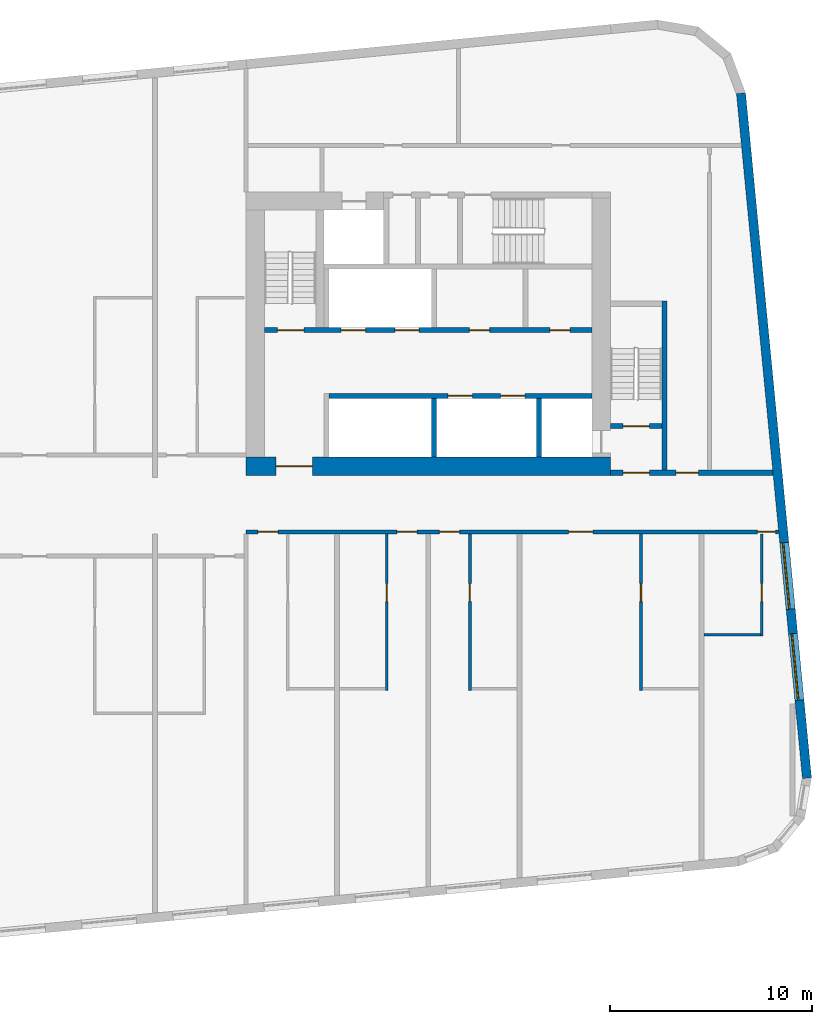
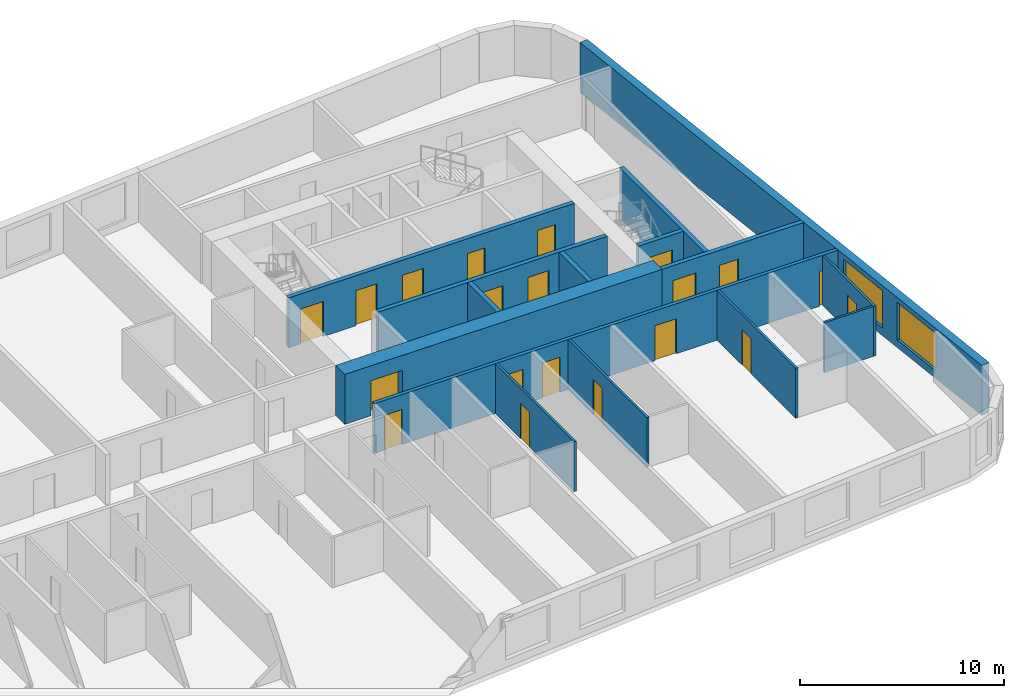
# One storey, part 7 of 12: 20 doors, 15 walls, 2 windows, 22 openings.
"""IFC4 building model written with IfcOpenShell, lengths in metres."""

from ifc_helpers import new_model, si_unit, direction, frame, frame_2d, origin, place, context, subcontext, project, spatial, rectangle, extrude, material, layer, layer_set, type_object, element, fill, save


model = new_model("IFC4")

# Units and contexts
model_context = context("Model", 3, precision=1e-05, world=origin(), true_north=direction((0.0, 1.0)))
body_context = subcontext(model_context, "Body", "Model", "MODEL_VIEW")
ifc_project = project(units=[si_unit("LENGTHUNIT", "METRE"), si_unit("AREAUNIT", "SQUARE_METRE"), si_unit("VOLUMEUNIT", "CUBIC_METRE"), si_unit("PLANEANGLEUNIT", "RADIAN"), si_unit("MASSUNIT", "GRAM", prefix="KILO")], contexts=[model_context])

# Site, building, storey
site_placement = place(None, origin())
site = spatial("IfcSite", under=ifc_project, at=site_placement, CompositionType="ELEMENT")
building_placement = place(site_placement, origin())
building = spatial("IfcBuilding", under=site, at=building_placement, Name="Kajstack Hotel Tower", CompositionType="ELEMENT")
storey_placement = place(building_placement, frame((0.0, 0.0, 203.199951171875)))
storey = spatial("IfcBuildingStorey", under=building, at=storey_placement, Name="L49", CompositionType="ELEMENT", Elevation=203.199951171875)

# Wall, opening, door
ifc_material_1 = material(Name="Concrete C60/75", Category="concrete")
ifc_layer_1 = layer(ifc_material_1, 0.89990234375)
ifc_layer_set_1 = layer_set([ifc_layer_1], Name="Core wall 900")
wall_type_1 = type_object("IfcWallType", Name="Core wall 900", PredefinedType="SHEAR", material=ifc_layer_set_1)
wall_1_placement = place(storey_placement, frame((13.5, 1.949951171875, 0.0), z_axis=(0.0, 0.0, 1.0), x_axis=(1.0, 0.0, 0.0)))
wall_1 = element("IfcWall", 1, at=wall_1_placement, inside=storey, type_object=wall_type_1, Name="Core wall E RN", PredefinedType="SHEAR", context=body_context, shape_type="SweptSolid", body=[
    extrude(rectangle(XDim=18.0, YDim=0.89990234375, at=frame_2d((9.0, 0.0))), origin(), (0.0, 0.0, 1.0), 3.0),
])
opening_1_placement = place(wall_1_placement, frame((1.47509765625, 0.0, 0.0)))
opening_1 = element("IfcOpeningElement", 2, at=opening_1_placement, cuts=wall_1, Name="Opening 49E07", PredefinedType="OPENING", context=body_context, shape_type="SweptSolid", body=[
    extrude(rectangle(XDim=1.800048828125, YDim=2.10009765625, at=frame_2d((0.89990234375, 1.050048828125))), frame((0.0, 0.4599609375, 0.0), z_axis=(0.0, -1.0, 0.0), x_axis=(1.0, 0.0, 0.0)), (0.0, 0.0, 1.0), 0.919921875),
])
ifc_material_2 = material(Name="Glazed steel frame, fire-rated glass", Category="steel")
door_type_1 = type_object("IfcDoorType", Name="Lobby double door 1800", OperationType="DOUBLE_DOOR_DOUBLE_SWING", PredefinedType="DOOR", material=ifc_material_2)
door_1_placement = place(opening_1_placement, origin())
door_1 = element("IfcDoor", 3, at=door_1_placement, inside=storey, type_object=door_type_1, Name="Door 49E07", OperationType="DOUBLE_DOOR_DOUBLE_SWING", OverallHeight=2.10009765625, OverallWidth=1.800048828125, PredefinedType="DOOR", context=body_context, shape_type="SweptSolid", body=[
    extrude(rectangle(XDim=1.800048828125, YDim=2.10009765625, at=frame_2d((0.89990234375, 1.050048828125))), frame((0.0, 0.02490234375, 0.0), z_axis=(0.0, -1.0, 0.0), x_axis=(1.0, 0.0, 0.0)), (0.0, 0.0, 1.0), 0.050048828125),
])
fill(opening_1, door_1)

# Wall, openings, doors
ifc_material_3 = material(Name="Gypsum board on steel studs, mineral wool", Category="steel")
ifc_layer_2 = layer(ifc_material_3, 0.199951171875)
ifc_layer_set_2 = layer_set([ifc_layer_2], Name="Corridor wall 200")
wall_type_2 = type_object("IfcWallType", Name="Corridor wall 200", PredefinedType="PARTITIONING", material=ifc_layer_set_2)
wall_2_placement = place(storey_placement, frame((13.5, -1.300048828125, 0.0), z_axis=(0.0, 0.0, 1.0), x_axis=(1.0, 0.0, 0.0)))
wall_2 = element("IfcWall", 4, at=wall_2_placement, inside=storey, type_object=wall_type_2, Name="G-wall-L49-029", PredefinedType="PARTITIONING", context=body_context, shape_type="SweptSolid", body=[
    extrude(rectangle(XDim=26.31689453125, YDim=0.199951171875, at=frame_2d((13.158447265625, 0.0))), origin(), (0.0, 0.0, 1.0), 3.0),
])
opening_2_placement = place(wall_2_placement, frame((0.574951171875, 0.0, 0.0)))
opening_2 = element("IfcOpeningElement", 5, at=opening_2_placement, cuts=wall_2, Name="Opening 49032", PredefinedType="OPENING", context=body_context, shape_type="SweptSolid", body=[
    extrude(rectangle(XDim=1.0, YDim=2.10009765625, at=frame_2d((0.5, 1.050048828125))), frame((0.0, 0.10986328125, 0.0), z_axis=(0.0, -1.0, 0.0), x_axis=(1.0, 0.0, 0.0)), (0.0, 0.0, 1.0), 0.219970703125),
])
opening_3_placement = place(wall_2_placement, frame((7.449951171875, 0.0, 0.0)))
opening_3 = element("IfcOpeningElement", 6, at=opening_3_placement, cuts=wall_2, Name="Opening 49034", PredefinedType="OPENING", context=body_context, shape_type="SweptSolid", body=[
    extrude(rectangle(XDim=1.0, YDim=2.10009765625, at=frame_2d((0.5, 1.050048828125))), frame((0.0, 0.10986328125, 0.0), z_axis=(0.0, -1.0, 0.0), x_axis=(1.0, 0.0, 0.0)), (0.0, 0.0, 1.0), 0.219970703125),
])
opening_4_placement = place(wall_2_placement, frame((9.550048828125, 0.0, 0.0)))
opening_4 = element("IfcOpeningElement", 7, at=opening_4_placement, cuts=wall_2, Name="Opening 49036", PredefinedType="OPENING", context=body_context, shape_type="SweptSolid", body=[
    extrude(rectangle(XDim=1.0, YDim=2.10009765625, at=frame_2d((0.5, 1.050048828125))), frame((0.0, 0.10986328125, 0.0), z_axis=(0.0, -1.0, 0.0), x_axis=(1.0, 0.0, 0.0)), (0.0, 0.0, 1.0), 0.219970703125),
])
opening_5_placement = place(wall_2_placement, frame((15.93798828125, 0.0, 0.0)))
opening_5 = element("IfcOpeningElement", 8, at=opening_5_placement, cuts=wall_2, Name="Opening 49038", PredefinedType="OPENING", context=body_context, shape_type="SweptSolid", body=[
    extrude(rectangle(XDim=1.199951171875, YDim=2.10009765625, at=frame_2d((0.60009765625, 1.050048828125))), frame((0.0, 0.10986328125, 0.0), z_axis=(0.0, -1.0, 0.0), x_axis=(1.0, 0.0, 0.0)), (0.0, 0.0, 1.0), 0.219970703125),
])
opening_6_placement = place(wall_2_placement, frame((25.26708984375, 0.0, 0.0)))
opening_6 = element("IfcOpeningElement", 9, at=opening_6_placement, cuts=wall_2, Name="Opening 49040", PredefinedType="OPENING", context=body_context, shape_type="SweptSolid", body=[
    extrude(rectangle(XDim=0.89990234375, YDim=2.10009765625, at=frame_2d((0.449951171875, 1.050048828125))), frame((0.0, 0.10986328125, 0.0), z_axis=(0.0, -1.0, 0.0), x_axis=(1.0, 0.0, 0.0)), (0.0, 0.0, 1.0), 0.219970703125),
])
ifc_material_4 = material(Name="Oak veneer on timber core, fire-rated leaf", Category="wood")
door_type_2 = type_object("IfcDoorType", Name="Flat entrance door 1000", OperationType="SINGLE_SWING_LEFT", PredefinedType="DOOR", material=ifc_material_4)
door_2_placement = place(opening_2_placement, origin())
door_2 = element("IfcDoor", 10, at=door_2_placement, inside=storey, type_object=door_type_2, Name="G-door-L49-32", OperationType="SINGLE_SWING_LEFT", OverallHeight=2.10009765625, OverallWidth=1.0, PredefinedType="DOOR", context=body_context, shape_type="SweptSolid", body=[
    extrude(rectangle(XDim=1.0, YDim=2.10009765625, at=frame_2d((0.5, 1.050048828125))), frame((0.0, 0.02490234375, 0.0), z_axis=(0.0, -1.0, 0.0), x_axis=(1.0, 0.0, 0.0)), (0.0, 0.0, 1.0), 0.050048828125),
])
fill(opening_2, door_2)
door_3_placement = place(opening_3_placement, origin())
door_3 = element("IfcDoor", 11, at=door_3_placement, inside=storey, type_object=door_type_2, Name="G-door-L49-34", OperationType="SINGLE_SWING_RIGHT", OverallHeight=2.10009765625, OverallWidth=1.0, PredefinedType="DOOR", context=body_context, shape_type="SweptSolid", body=[
    extrude(rectangle(XDim=1.0, YDim=2.10009765625, at=frame_2d((0.5, 1.050048828125))), frame((0.0, 0.02490234375, 0.0), z_axis=(0.0, -1.0, 0.0), x_axis=(1.0, 0.0, 0.0)), (0.0, 0.0, 1.0), 0.050048828125),
])
fill(opening_3, door_3)
door_4_placement = place(opening_4_placement, origin())
door_4 = element("IfcDoor", 12, at=door_4_placement, inside=storey, type_object=door_type_2, Name="G-door-L49-36", OperationType="SINGLE_SWING_RIGHT", OverallHeight=2.10009765625, OverallWidth=1.0, PredefinedType="DOOR", context=body_context, shape_type="SweptSolid", body=[
    extrude(rectangle(XDim=1.0, YDim=2.10009765625, at=frame_2d((0.5, 1.050048828125))), frame((0.0, 0.02490234375, 0.0), z_axis=(0.0, -1.0, 0.0), x_axis=(1.0, 0.0, 0.0)), (0.0, 0.0, 1.0), 0.050048828125),
])
fill(opening_4, door_4)
door_type_3 = type_object("IfcDoorType", Name="Flat entrance door 1200", OperationType="SINGLE_SWING_LEFT", PredefinedType="DOOR", material=ifc_material_4)
door_5_placement = place(opening_5_placement, origin())
door_5 = element("IfcDoor", 13, at=door_5_placement, inside=storey, type_object=door_type_3, Name="G-door-L49-38", OperationType="SINGLE_SWING_LEFT", OverallHeight=2.10009765625, OverallWidth=1.199951171875, PredefinedType="DOOR", context=body_context, shape_type="SweptSolid", body=[
    extrude(rectangle(XDim=1.199951171875, YDim=2.10009765625, at=frame_2d((0.60009765625, 1.050048828125))), frame((0.0, 0.02490234375, 0.0), z_axis=(0.0, -1.0, 0.0), x_axis=(1.0, 0.0, 0.0)), (0.0, 0.0, 1.0), 0.050048828125),
])
fill(opening_5, door_5)
ifc_material_5 = material(Name="Painted timber door leaf", Category="wood")
door_type_4 = type_object("IfcDoorType", Name="Room door 900", OperationType="SINGLE_SWING_LEFT", PredefinedType="DOOR", material=ifc_material_5)
door_6_placement = place(opening_6_placement, origin())
door_6 = element("IfcDoor", 14, at=door_6_placement, inside=storey, type_object=door_type_4, Name="G-door-L49-40", OperationType="SINGLE_SWING_RIGHT", OverallHeight=2.10009765625, OverallWidth=0.89990234375, PredefinedType="DOOR", context=body_context, shape_type="SweptSolid", body=[
    extrude(rectangle(XDim=0.89990234375, YDim=2.10009765625, at=frame_2d((0.449951171875, 1.050048828125))), frame((0.0, 0.02490234375, 0.0), z_axis=(0.0, -1.0, 0.0), x_axis=(1.0, 0.0, 0.0)), (0.0, 0.0, 1.0), 0.050048828125),
])
fill(opening_6, door_6)

# Wall, openings, windows
ifc_material_6 = material(Name="Terracotta-faced brick masonry", Category="masonry")
ifc_layer_3 = layer(ifc_material_6, 0.449951171875)
ifc_layer_set_3 = layer_set([ifc_layer_3], Name="EW-TERRA")
wall_type_3 = type_object("IfcWallType", Name="EW-TERRA", PredefinedType="SOLIDWALL", material=ifc_layer_set_3)
wall_3_placement = place(storey_placement, frame((41.21435546875, -13.465576171875, 0.0), z_axis=(0.0, 0.0, 1.0), x_axis=(-0.095847314626, 0.995396047952, 0.0)))
wall_3 = element("IfcWall", 15, at=wall_3_placement, inside=storey, type_object=wall_type_3, Name="E-wall-L49-08-00", PredefinedType="SOLIDWALL", context=body_context, shape_type="SweptSolid", body=[
    extrude(rectangle(XDim=33.999755859375, YDim=0.449951171875, at=frame_2d((17.0, 0.0))), origin(), (0.0, 0.0, 1.0), 3.0),
])
opening_7_placement = place(wall_3_placement, frame((3.869384765625, 0.0, 0.449951171875)))
opening_7 = element("IfcOpeningElement", 16, at=opening_7_placement, cuts=wall_3, Name="Opening W2", PredefinedType="OPENING", context=body_context, shape_type="SweptSolid", body=[
    extrude(rectangle(XDim=3.300048828125, YDim=2.25, at=frame_2d((1.64990234375, 1.125))), frame((0.0, 0.23486328125, 0.0), z_axis=(0.0, -1.0, 0.0), x_axis=(1.0, 0.0, 0.0)), (0.0, 0.0, 1.0), 0.469970703125),
])
opening_8_placement = place(wall_3_placement, frame((8.390380859375, 0.0, 0.449951171875)))
opening_8 = element("IfcOpeningElement", 17, at=opening_8_placement, cuts=wall_3, Name="Opening W2", PredefinedType="OPENING", context=body_context, shape_type="SweptSolid", body=[
    extrude(rectangle(XDim=3.300048828125, YDim=2.25, at=frame_2d((1.64990234375, 1.125))), frame((0.0, 0.23486328125, 0.0), z_axis=(0.0, -1.0, 0.0), x_axis=(1.0, 0.0, 0.0)), (0.0, 0.0, 1.0), 0.469970703125),
])
ifc_material_7 = material(Name="Timber-aluminium window, triple glazed", Category="wood")
window_type = type_object("IfcWindowType", Name="WG2", PartitioningType="SINGLE_PANEL", PredefinedType="WINDOW", material=ifc_material_7)
window_1_placement = place(opening_7_placement, origin())
window_1 = element("IfcWindow", 18, at=window_1_placement, inside=storey, type_object=window_type, Name="Window W2 L49-08", OverallHeight=2.25, OverallWidth=3.300048828125, PartitioningType="SINGLE_PANEL", PredefinedType="WINDOW", context=body_context, shape_type="SweptSolid", body=[
    extrude(rectangle(XDim=3.300048828125, YDim=2.25, at=frame_2d((1.64990234375, 1.125))), frame((0.0, 0.090087890625, 0.0), z_axis=(0.0, -1.0, 0.0), x_axis=(1.0, 0.0, 0.0)), (0.0, 0.0, 1.0), 0.06005859375),
])
fill(opening_7, window_1)
window_2_placement = place(opening_8_placement, origin())
window_2 = element("IfcWindow", 19, at=window_2_placement, inside=storey, type_object=window_type, Name="Window W2 L49-08", OverallHeight=2.25, OverallWidth=3.300048828125, PartitioningType="SINGLE_PANEL", PredefinedType="WINDOW", context=body_context, shape_type="SweptSolid", body=[
    extrude(rectangle(XDim=3.300048828125, YDim=2.25, at=frame_2d((1.64990234375, 1.125))), frame((0.0, 0.090087890625, 0.0), z_axis=(0.0, -1.0, 0.0), x_axis=(1.0, 0.0, 0.0)), (0.0, 0.0, 1.0), 0.06005859375),
])
fill(opening_8, window_2)

# Wall, opening, door
ifc_material_8 = material(Name="Gypsum board and tiled backer on steel studs", Category="steel")
ifc_layer_4 = layer(ifc_material_8, 0.125)
ifc_layer_set_4 = layer_set([ifc_layer_4], Name="En-suite wall 125")
wall_type_4 = type_object("IfcWallType", Name="En-suite wall 125", PredefinedType="PARTITIONING", material=ifc_layer_set_4)
wall_4_placement = place(storey_placement, frame((20.43798828125, -9.125, 0.0), z_axis=(0.0, 0.0, 1.0), x_axis=(0.0, 1.0, 0.0)))
wall_4 = element("IfcWall", 20, at=wall_4_placement, inside=storey, type_object=wall_type_4, Name="G-wall-L49-046", PredefinedType="PARTITIONING", context=body_context, shape_type="SweptSolid", body=[
    extrude(rectangle(XDim=7.72509765625, YDim=0.125, at=frame_2d((3.862548828125, 0.0))), origin(), (0.0, 0.0, 1.0), 3.0),
])
opening_9_placement = place(wall_4_placement, frame((4.375, 0.0, 0.0)))
opening_9 = element("IfcOpeningElement", 21, at=opening_9_placement, cuts=wall_4, Name="Opening 49035", PredefinedType="OPENING", context=body_context, shape_type="SweptSolid", body=[
    extrude(rectangle(XDim=0.89990234375, YDim=2.10009765625, at=frame_2d((0.449951171875, 1.050048828125))), frame((0.0, 0.072509765625, 0.0), z_axis=(0.0, -1.0, 0.0), x_axis=(1.0, 0.0, 0.0)), (0.0, 0.0, 1.0), 0.14501953125),
])
door_7_placement = place(opening_9_placement, origin())
door_7 = element("IfcDoor", 22, at=door_7_placement, inside=storey, type_object=door_type_4, Name="G-door-L49-35", OperationType="SINGLE_SWING_LEFT", OverallHeight=2.10009765625, OverallWidth=0.89990234375, PredefinedType="DOOR", context=body_context, shape_type="SweptSolid", body=[
    extrude(rectangle(XDim=0.89990234375, YDim=2.10009765625, at=frame_2d((0.449951171875, 1.050048828125))), frame((0.0, 0.02490234375, 0.0), z_axis=(0.0, -1.0, 0.0), x_axis=(1.0, 0.0, 0.0)), (0.0, 0.0, 1.0), 0.050048828125),
])
fill(opening_9, door_7)

wall_5_placement = place(storey_placement, frame((24.56201171875, -9.125, 0.0), z_axis=(0.0, 0.0, 1.0), x_axis=(0.0, 1.0, 0.0)))
wall_5 = element("IfcWall", 23, at=wall_5_placement, inside=storey, type_object=wall_type_4, Name="G-wall-L49-048", PredefinedType="PARTITIONING", context=body_context, shape_type="SweptSolid", body=[
    extrude(rectangle(XDim=7.72509765625, YDim=0.125, at=frame_2d((3.862548828125, 0.0))), origin(), (0.0, 0.0, 1.0), 3.0),
])
opening_10_placement = place(wall_5_placement, frame((4.375, 0.0, 0.0)))
opening_10 = element("IfcOpeningElement", 24, at=opening_10_placement, cuts=wall_5, Name="Opening 49037", PredefinedType="OPENING", context=body_context, shape_type="SweptSolid", body=[
    extrude(rectangle(XDim=0.89990234375, YDim=2.10009765625, at=frame_2d((0.449951171875, 1.050048828125))), frame((0.0, 0.072509765625, 0.0), z_axis=(0.0, -1.0, 0.0), x_axis=(1.0, 0.0, 0.0)), (0.0, 0.0, 1.0), 0.14501953125),
])
door_8_placement = place(opening_10_placement, origin())
door_8 = element("IfcDoor", 25, at=door_8_placement, inside=storey, type_object=door_type_4, Name="G-door-L49-37", OperationType="SINGLE_SWING_RIGHT", OverallHeight=2.10009765625, OverallWidth=0.89990234375, PredefinedType="DOOR", context=body_context, shape_type="SweptSolid", body=[
    extrude(rectangle(XDim=0.89990234375, YDim=2.10009765625, at=frame_2d((0.449951171875, 1.050048828125))), frame((0.0, 0.02490234375, 0.0), z_axis=(0.0, -1.0, 0.0), x_axis=(1.0, 0.0, 0.0)), (0.0, 0.0, 1.0), 0.050048828125),
])
fill(opening_10, door_8)

wall_6_placement = place(storey_placement, frame((33.012939453125, -9.125, 0.0), z_axis=(0.0, 0.0, 1.0), x_axis=(0.0, 1.0, 0.0)))
wall_6 = element("IfcWall", 26, at=wall_6_placement, inside=storey, type_object=wall_type_4, Name="G-wall-L49-050", PredefinedType="PARTITIONING", context=body_context, shape_type="SweptSolid", body=[
    extrude(rectangle(XDim=7.72509765625, YDim=0.125, at=frame_2d((3.862548828125, 0.0))), origin(), (0.0, 0.0, 1.0), 3.0),
])
opening_11_placement = place(wall_6_placement, frame((4.375, 0.0, 0.0)))
opening_11 = element("IfcOpeningElement", 27, at=opening_11_placement, cuts=wall_6, Name="Opening 49039", PredefinedType="OPENING", context=body_context, shape_type="SweptSolid", body=[
    extrude(rectangle(XDim=0.89990234375, YDim=2.10009765625, at=frame_2d((0.449951171875, 1.050048828125))), frame((0.0, 0.072509765625, 0.0), z_axis=(0.0, -1.0, 0.0), x_axis=(1.0, 0.0, 0.0)), (0.0, 0.0, 1.0), 0.14501953125),
])
door_9_placement = place(opening_11_placement, origin())
door_9 = element("IfcDoor", 28, at=door_9_placement, inside=storey, type_object=door_type_4, Name="G-door-L49-39", OperationType="SINGLE_SWING_RIGHT", OverallHeight=2.10009765625, OverallWidth=0.89990234375, PredefinedType="DOOR", context=body_context, shape_type="SweptSolid", body=[
    extrude(rectangle(XDim=0.89990234375, YDim=2.10009765625, at=frame_2d((0.449951171875, 1.050048828125))), frame((0.0, 0.02490234375, 0.0), z_axis=(0.0, -1.0, 0.0), x_axis=(1.0, 0.0, 0.0)), (0.0, 0.0, 1.0), 0.050048828125),
])
fill(opening_11, door_9)

wall_7_placement = place(storey_placement, frame((38.987060546875, -6.445068359375, 0.0), z_axis=(0.0, 0.0, 1.0), x_axis=(0.0, 1.0, 0.0)))
wall_7 = element("IfcWall", 29, at=wall_7_placement, inside=storey, type_object=wall_type_4, Name="G-wall-L49-052", PredefinedType="PARTITIONING", context=body_context, shape_type="SweptSolid", body=[
    extrude(rectangle(XDim=5.045166015625, YDim=0.125, at=frame_2d((2.5224609375, 0.0))), origin(), (0.0, 0.0, 1.0), 3.0),
])
opening_12_placement = place(wall_7_placement, frame((1.695068359375, 0.0, 0.0)))
opening_12 = element("IfcOpeningElement", 30, at=opening_12_placement, cuts=wall_7, Name="Opening 49041", PredefinedType="OPENING", context=body_context, shape_type="SweptSolid", body=[
    extrude(rectangle(XDim=0.89990234375, YDim=2.10009765625, at=frame_2d((0.449951171875, 1.050048828125))), frame((0.0, 0.072509765625, 0.0), z_axis=(0.0, -1.0, 0.0), x_axis=(1.0, 0.0, 0.0)), (0.0, 0.0, 1.0), 0.14501953125),
])
door_10_placement = place(opening_12_placement, origin())
door_10 = element("IfcDoor", 31, at=door_10_placement, inside=storey, type_object=door_type_4, Name="G-door-L49-41", OperationType="SINGLE_SWING_RIGHT", OverallHeight=2.10009765625, OverallWidth=0.89990234375, PredefinedType="DOOR", context=body_context, shape_type="SweptSolid", body=[
    extrude(rectangle(XDim=0.89990234375, YDim=2.10009765625, at=frame_2d((0.449951171875, 1.050048828125))), frame((0.0, 0.02490234375, 0.0), z_axis=(0.0, -1.0, 0.0), x_axis=(1.0, 0.0, 0.0)), (0.0, 0.0, 1.0), 0.050048828125),
])
fill(opening_12, door_10)

# Walls
wall_8_placement = place(storey_placement, frame((36.125, -6.382080078125, 0.0), z_axis=(0.0, 0.0, 1.0), x_axis=(1.0, 0.0, 0.0)))
element("IfcWall", 32, at=wall_8_placement, inside=storey, type_object=wall_type_4, Name="G-wall-L49-053", PredefinedType="PARTITIONING", context=body_context, shape_type="SweptSolid", body=[
    extrude(rectangle(XDim=2.800048828125, YDim=0.125, at=frame_2d((1.39990234375, 0.0))), origin(), (0.0, 0.0, 1.0), 3.0),
])
ifc_material_9 = material(Name="Concrete C50/60", Category="concrete")
ifc_layer_5 = layer(ifc_material_9, 0.300048828125)
ifc_layer_set_5 = layer_set([ifc_layer_5], Name="Hoistway divider wall 300")
wall_type_5 = type_object("IfcWallType", Name="Hoistway divider wall 300", PredefinedType="SHEAR", material=ifc_layer_set_5)
wall_9_placement = place(storey_placement, frame((22.77490234375, 2.39990234375, 0.0), z_axis=(0.0, 0.0, 1.0), x_axis=(0.0, 1.0, 0.0)))
element("IfcWall", 33, at=wall_9_placement, inside=storey, type_object=wall_type_5, Name="Core wall E AP2", PredefinedType="SHEAR", context=body_context, shape_type="SweptSolid", body=[
    extrude(rectangle(XDim=2.900146484375, YDim=0.25, at=frame_2d((1.4501953125, 0.0))), origin(), (0.0, 0.0, 1.0), 3.0),
])

# Wall, openings, doors
ifc_layer_6 = layer(ifc_material_3, 0.199951171875)
ifc_layer_set_6 = layer_set([ifc_layer_6], Name="Service partition 200")
wall_type_6 = type_object("IfcWallType", Name="Service partition 200", PredefinedType="PARTITIONING", material=ifc_layer_set_6)
wall_10_placement = place(storey_placement, frame((31.5, 1.625, 0.0), z_axis=(0.0, 0.0, 1.0), x_axis=(1.0, 0.0, 0.0)))
wall_10 = element("IfcWall", 34, at=wall_10_placement, inside=storey, type_object=wall_type_6, Name="Partition E SN", PredefinedType="PARTITIONING", context=body_context, shape_type="SweptSolid", body=[
    extrude(rectangle(XDim=8.035400390625, YDim=0.25, at=frame_2d((4.017578125, 0.0))), origin(), (0.0, 0.0, 1.0), 3.0),
])
opening_13_placement = place(wall_10_placement, frame((0.625, 0.0, 0.0)))
opening_13 = element("IfcOpeningElement", 35, at=opening_13_placement, cuts=wall_10, Name="Opening 49E08", PredefinedType="OPENING", context=body_context, shape_type="SweptSolid", body=[
    extrude(rectangle(XDim=1.300048828125, YDim=2.10009765625, at=frame_2d((0.64990234375, 1.050048828125))), frame((0.0, 0.135009765625, 0.0), z_axis=(0.0, -1.0, 0.0), x_axis=(1.0, 0.0, 0.0)), (0.0, 0.0, 1.0), 0.27001953125),
])
opening_14_placement = place(wall_10_placement, frame((3.25, 0.0, 0.0)))
opening_14 = element("IfcOpeningElement", 36, at=opening_14_placement, cuts=wall_10, Name="Opening 49E10", PredefinedType="OPENING", context=body_context, shape_type="SweptSolid", body=[
    extrude(rectangle(XDim=1.10009765625, YDim=2.10009765625, at=frame_2d((0.550048828125, 1.050048828125))), frame((0.0, 0.135009765625, 0.0), z_axis=(0.0, -1.0, 0.0), x_axis=(1.0, 0.0, 0.0)), (0.0, 0.0, 1.0), 0.27001953125),
])
ifc_material_10 = material(Name="Steel leaf, fire-rated", Category="steel")
door_type_5 = type_object("IfcDoorType", Name="Fire lobby door 1300", OperationType="SINGLE_SWING_LEFT", PredefinedType="DOOR", material=ifc_material_10)
door_11_placement = place(opening_13_placement, origin())
door_11 = element("IfcDoor", 37, at=door_11_placement, inside=storey, type_object=door_type_5, Name="Door 49E08", OperationType="SINGLE_SWING_LEFT", OverallHeight=2.10009765625, OverallWidth=1.300048828125, PredefinedType="DOOR", context=body_context, shape_type="SweptSolid", body=[
    extrude(rectangle(XDim=1.300048828125, YDim=2.10009765625, at=frame_2d((0.64990234375, 1.050048828125))), frame((0.0, 0.02490234375, 0.0), z_axis=(0.0, -1.0, 0.0), x_axis=(1.0, 0.0, 0.0)), (0.0, 0.0, 1.0), 0.050048828125),
])
fill(opening_13, door_11)
ifc_material_11 = material(Name="Timber leaf, fire-rated", Category="wood")
door_type_6 = type_object("IfcDoorType", Name="Service corridor door 1100", OperationType="SINGLE_SWING_LEFT", PredefinedType="DOOR", material=ifc_material_11)
door_12_placement = place(opening_14_placement, origin())
door_12 = element("IfcDoor", 38, at=door_12_placement, inside=storey, type_object=door_type_6, Name="Door 49E10", OperationType="SINGLE_SWING_LEFT", OverallHeight=2.10009765625, OverallWidth=1.10009765625, PredefinedType="DOOR", context=body_context, shape_type="SweptSolid", body=[
    extrude(rectangle(XDim=1.10009765625, YDim=2.10009765625, at=frame_2d((0.550048828125, 1.050048828125))), frame((0.0, 0.02490234375, 0.0), z_axis=(0.0, -1.0, 0.0), x_axis=(1.0, 0.0, 0.0)), (0.0, 0.0, 1.0), 0.050048828125),
])
fill(opening_14, door_12)

ifc_layer_7 = layer(ifc_material_9, 0.25)
ifc_layer_set_7 = layer_set([ifc_layer_7], Name="Shaft wall 250")
wall_type_7 = type_object("IfcWallType", Name="Shaft wall 250", PredefinedType="SHEAR", material=ifc_layer_set_7)
wall_11_placement = place(storey_placement, frame((17.60009765625, 5.425048828125, 0.0), z_axis=(0.0, 0.0, 1.0), x_axis=(1.0, 0.0, 0.0)))
wall_11 = element("IfcWall", 39, at=wall_11_placement, inside=storey, type_object=wall_type_7, Name="Core wall E FA", PredefinedType="SHEAR", context=body_context, shape_type="SweptSolid", body=[
    extrude(rectangle(XDim=13.0, YDim=0.25, at=frame_2d((6.5, 0.0))), origin(), (0.0, 0.0, 1.0), 3.0),
])
opening_15_placement = place(wall_11_placement, frame((8.47509765625, 0.0, 0.0)))
opening_15 = element("IfcOpeningElement", 40, at=opening_15_placement, cuts=wall_11, Name="Opening LD-MR7", PredefinedType="OPENING", context=body_context, shape_type="SweptSolid", body=[
    extrude(rectangle(XDim=1.199951171875, YDim=2.10009765625, at=frame_2d((0.60009765625, 1.050048828125))), frame((0.0, 0.135009765625, 0.0), z_axis=(0.0, -1.0, 0.0), x_axis=(1.0, 0.0, 0.0)), (0.0, 0.0, 1.0), 0.27001953125),
])
opening_16_placement = place(wall_11_placement, frame((5.875, 0.0, 0.0)))
opening_16 = element("IfcOpeningElement", 41, at=opening_16_placement, cuts=wall_11, Name="Opening LD-MR8", PredefinedType="OPENING", context=body_context, shape_type="SweptSolid", body=[
    extrude(rectangle(XDim=1.199951171875, YDim=2.10009765625, at=frame_2d((0.60009765625, 1.050048828125))), frame((0.0, 0.135009765625, 0.0), z_axis=(0.0, -1.0, 0.0), x_axis=(1.0, 0.0, 0.0)), (0.0, 0.0, 1.0), 0.27001953125),
])
ifc_material_12 = material(Name="Stainless steel", Category="steel")
door_type_7 = type_object("IfcDoorType", Name="Lift landing door 1200", OperationType="SLIDING_TO_LEFT", PredefinedType="DOOR", material=ifc_material_12)
door_13_placement = place(opening_15_placement, origin())
door_13 = element("IfcDoor", 42, at=door_13_placement, inside=storey, type_object=door_type_7, Name="Landing door MR7", OperationType="SLIDING_TO_LEFT", OverallHeight=2.10009765625, OverallWidth=1.199951171875, PredefinedType="DOOR", context=body_context, shape_type="SweptSolid", body=[
    extrude(rectangle(XDim=1.199951171875, YDim=2.10009765625, at=frame_2d((0.60009765625, 1.050048828125))), frame((0.0, 0.02490234375, 0.0), z_axis=(0.0, -1.0, 0.0), x_axis=(1.0, 0.0, 0.0)), (0.0, 0.0, 1.0), 0.050048828125),
])
fill(opening_15, door_13)
door_14_placement = place(opening_16_placement, origin())
door_14 = element("IfcDoor", 43, at=door_14_placement, inside=storey, type_object=door_type_7, Name="Landing door MR8", OperationType="SLIDING_TO_RIGHT", OverallHeight=2.10009765625, OverallWidth=1.199951171875, PredefinedType="DOOR", context=body_context, shape_type="SweptSolid", body=[
    extrude(rectangle(XDim=1.199951171875, YDim=2.10009765625, at=frame_2d((0.60009765625, 1.050048828125))), frame((0.0, 0.02490234375, 0.0), z_axis=(0.0, -1.0, 0.0), x_axis=(1.0, 0.0, 0.0)), (0.0, 0.0, 1.0), 0.050048828125),
])
fill(opening_16, door_14)

# Wall
wall_12_placement = place(storey_placement, frame((27.97509765625, 2.39990234375, 0.0), z_axis=(0.0, 0.0, 1.0), x_axis=(0.0, 1.0, 0.0)))
element("IfcWall", 44, at=wall_12_placement, inside=storey, type_object=wall_type_7, Name="Core wall E AP0", PredefinedType="SHEAR", context=body_context, shape_type="SweptSolid", body=[
    extrude(rectangle(XDim=2.900146484375, YDim=0.25, at=frame_2d((1.4501953125, 0.0))), origin(), (0.0, 0.0, 1.0), 3.0),
])

# Wall, openings, doors
wall_13_placement = place(storey_placement, frame((14.39990234375, 8.675048828125, 0.0), z_axis=(0.0, 0.0, 1.0), x_axis=(1.0, 0.0, 0.0)))
wall_13 = element("IfcWall", 45, at=wall_13_placement, inside=storey, type_object=wall_type_7, Name="Core wall E FB", PredefinedType="SHEAR", context=body_context, shape_type="SweptSolid", body=[
    extrude(rectangle(XDim=16.2001953125, YDim=0.25, at=frame_2d((8.10009765625, 0.0))), origin(), (0.0, 0.0, 1.0), 3.0),
])
opening_17_placement = place(wall_13_placement, frame((6.449951171875, 0.0, 0.0)))
opening_17 = element("IfcOpeningElement", 46, at=opening_17_placement, cuts=wall_13, Name="Opening LD-MR5", PredefinedType="OPENING", context=body_context, shape_type="SweptSolid", body=[
    extrude(rectangle(XDim=1.199951171875, YDim=2.10009765625, at=frame_2d((0.60009765625, 1.050048828125))), frame((0.0, 0.135009765625, 0.0), z_axis=(0.0, -1.0, 0.0), x_axis=(1.0, 0.0, 0.0)), (0.0, 0.0, 1.0), 0.27001953125),
])
opening_18_placement = place(wall_13_placement, frame((3.800048828125, 0.0, 0.0)))
opening_18 = element("IfcOpeningElement", 47, at=opening_18_placement, cuts=wall_13, Name="Opening LD-MR6", PredefinedType="OPENING", context=body_context, shape_type="SweptSolid", body=[
    extrude(rectangle(XDim=1.199951171875, YDim=2.10009765625, at=frame_2d((0.60009765625, 1.050048828125))), frame((0.0, 0.135009765625, 0.0), z_axis=(0.0, -1.0, 0.0), x_axis=(1.0, 0.0, 0.0)), (0.0, 0.0, 1.0), 0.27001953125),
])
opening_19_placement = place(wall_13_placement, frame((0.64990234375, 0.0, 0.0)))
opening_19 = element("IfcOpeningElement", 48, at=opening_19_placement, cuts=wall_13, Name="Opening 49E11", PredefinedType="OPENING", context=body_context, shape_type="SweptSolid", body=[
    extrude(rectangle(XDim=1.300048828125, YDim=2.10009765625, at=frame_2d((0.64990234375, 1.050048828125))), frame((0.0, 0.135009765625, 0.0), z_axis=(0.0, -1.0, 0.0), x_axis=(1.0, 0.0, 0.0)), (0.0, 0.0, 1.0), 0.27001953125),
])
opening_20_placement = place(wall_13_placement, frame((14.112548828125, 0.0, 0.0)))
opening_20 = element("IfcOpeningElement", 49, at=opening_20_placement, cuts=wall_13, Name="Opening 49E15", PredefinedType="OPENING", context=body_context, shape_type="SweptSolid", body=[
    extrude(rectangle(XDim=1.0, YDim=2.10009765625, at=frame_2d((0.5, 1.050048828125))), frame((0.0, 0.135009765625, 0.0), z_axis=(0.0, -1.0, 0.0), x_axis=(1.0, 0.0, 0.0)), (0.0, 0.0, 1.0), 0.27001953125),
])
opening_21_placement = place(wall_13_placement, frame((10.137451171875, 0.0, 0.0)))
opening_21 = element("IfcOpeningElement", 50, at=opening_21_placement, cuts=wall_13, Name="Opening 49E16", PredefinedType="OPENING", context=body_context, shape_type="SweptSolid", body=[
    extrude(rectangle(XDim=1.0, YDim=2.10009765625, at=frame_2d((0.5, 1.050048828125))), frame((0.0, 0.135009765625, 0.0), z_axis=(0.0, -1.0, 0.0), x_axis=(1.0, 0.0, 0.0)), (0.0, 0.0, 1.0), 0.27001953125),
])
door_15_placement = place(opening_17_placement, origin())
door_15 = element("IfcDoor", 51, at=door_15_placement, inside=storey, type_object=door_type_7, Name="Landing door MR5", OperationType="SLIDING_TO_LEFT", OverallHeight=2.10009765625, OverallWidth=1.199951171875, PredefinedType="DOOR", context=body_context, shape_type="SweptSolid", body=[
    extrude(rectangle(XDim=1.199951171875, YDim=2.10009765625, at=frame_2d((0.60009765625, 1.050048828125))), frame((0.0, 0.02490234375, 0.0), z_axis=(0.0, -1.0, 0.0), x_axis=(1.0, 0.0, 0.0)), (0.0, 0.0, 1.0), 0.050048828125),
])
fill(opening_17, door_15)
door_16_placement = place(opening_18_placement, origin())
door_16 = element("IfcDoor", 52, at=door_16_placement, inside=storey, type_object=door_type_7, Name="Landing door MR6", OperationType="SLIDING_TO_RIGHT", OverallHeight=2.10009765625, OverallWidth=1.199951171875, PredefinedType="DOOR", context=body_context, shape_type="SweptSolid", body=[
    extrude(rectangle(XDim=1.199951171875, YDim=2.10009765625, at=frame_2d((0.60009765625, 1.050048828125))), frame((0.0, 0.02490234375, 0.0), z_axis=(0.0, -1.0, 0.0), x_axis=(1.0, 0.0, 0.0)), (0.0, 0.0, 1.0), 0.050048828125),
])
fill(opening_18, door_16)
door_type_8 = type_object("IfcDoorType", Name="Service room door 1000", OperationType="SINGLE_SWING_LEFT", PredefinedType="DOOR", material=ifc_material_11)
door_17_placement = place(opening_20_placement, origin())
door_17 = element("IfcDoor", 53, at=door_17_placement, inside=storey, type_object=door_type_8, Name="Door 49E15", OperationType="SINGLE_SWING_LEFT", OverallHeight=2.10009765625, OverallWidth=1.0, PredefinedType="DOOR", context=body_context, shape_type="SweptSolid", body=[
    extrude(rectangle(XDim=1.0, YDim=2.10009765625, at=frame_2d((0.5, 1.050048828125))), frame((0.0, 0.02490234375, 0.0), z_axis=(0.0, -1.0, 0.0), x_axis=(1.0, 0.0, 0.0)), (0.0, 0.0, 1.0), 0.050048828125),
])
fill(opening_20, door_17)
door_18_placement = place(opening_21_placement, origin())
door_18 = element("IfcDoor", 54, at=door_18_placement, inside=storey, type_object=door_type_8, Name="Door 49E16", OperationType="SINGLE_SWING_LEFT", OverallHeight=2.10009765625, OverallWidth=1.0, PredefinedType="DOOR", context=body_context, shape_type="SweptSolid", body=[
    extrude(rectangle(XDim=1.0, YDim=2.10009765625, at=frame_2d((0.5, 1.050048828125))), frame((0.0, 0.02490234375, 0.0), z_axis=(0.0, -1.0, 0.0), x_axis=(1.0, 0.0, 0.0)), (0.0, 0.0, 1.0), 0.050048828125),
])
fill(opening_21, door_18)
door_type_9 = type_object("IfcDoorType", Name="Stair door 1300", OperationType="SINGLE_SWING_LEFT", PredefinedType="DOOR", material=ifc_material_10)
door_19_placement = place(opening_19_placement, origin())
door_19 = element("IfcDoor", 55, at=door_19_placement, inside=storey, type_object=door_type_9, Name="Door 49E11", OperationType="SINGLE_SWING_LEFT", OverallHeight=2.10009765625, OverallWidth=1.300048828125, PredefinedType="DOOR", context=body_context, shape_type="SweptSolid", body=[
    extrude(rectangle(XDim=1.300048828125, YDim=2.10009765625, at=frame_2d((0.64990234375, 1.050048828125))), frame((0.0, 0.02490234375, 0.0), z_axis=(0.0, -1.0, 0.0), x_axis=(1.0, 0.0, 0.0)), (0.0, 0.0, 1.0), 0.050048828125),
])
fill(opening_19, door_19)

# Wall, opening, door
ifc_material_13 = material(Name="Concrete C40/50", Category="concrete")
ifc_layer_8 = layer(ifc_material_13, 0.25)
ifc_layer_set_8 = layer_set([ifc_layer_8], Name="Stair enclosure wall 250")
wall_type_8 = type_object("IfcWallType", Name="Stair enclosure wall 250", PredefinedType="SHEAR", material=ifc_layer_set_8)
wall_14_placement = place(storey_placement, frame((31.5, 3.925048828125, 0.0), z_axis=(0.0, 0.0, 1.0), x_axis=(1.0, 0.0, 0.0)))
wall_14 = element("IfcWall", 56, at=wall_14_placement, inside=storey, type_object=wall_type_8, Name="Core wall E W1N", PredefinedType="SHEAR", context=body_context, shape_type="SweptSolid", body=[
    extrude(rectangle(XDim=2.550048828125, YDim=0.25, at=frame_2d((1.27490234375, 0.0))), origin(), (0.0, 0.0, 1.0), 3.0),
])
opening_22_placement = place(wall_14_placement, frame((0.625, 0.0, 0.0)))
opening_22 = element("IfcOpeningElement", 57, at=opening_22_placement, cuts=wall_14, Name="Opening 49E09", PredefinedType="OPENING", context=body_context, shape_type="SweptSolid", body=[
    extrude(rectangle(XDim=1.300048828125, YDim=2.10009765625, at=frame_2d((0.64990234375, 1.050048828125))), frame((0.0, 0.135009765625, 0.0), z_axis=(0.0, -1.0, 0.0), x_axis=(1.0, 0.0, 0.0)), (0.0, 0.0, 1.0), 0.27001953125),
])
door_20_placement = place(opening_22_placement, origin())
door_20 = element("IfcDoor", 58, at=door_20_placement, inside=storey, type_object=door_type_9, Name="Door 49E09", OperationType="SINGLE_SWING_LEFT", OverallHeight=2.10009765625, OverallWidth=1.300048828125, PredefinedType="DOOR", context=body_context, shape_type="SweptSolid", body=[
    extrude(rectangle(XDim=1.300048828125, YDim=2.10009765625, at=frame_2d((0.64990234375, 1.050048828125))), frame((0.0, 0.02490234375, 0.0), z_axis=(0.0, -1.0, 0.0), x_axis=(1.0, 0.0, 0.0)), (0.0, 0.0, 1.0), 0.050048828125),
])
fill(opening_22, door_20)

# Wall
wall_15_placement = place(storey_placement, frame((34.175048828125, 1.75, 0.0), z_axis=(0.0, 0.0, 1.0), x_axis=(0.0, 1.0, 0.0)))
element("IfcWall", 59, at=wall_15_placement, inside=storey, type_object=wall_type_8, Name="Core wall E W1W", PredefinedType="SHEAR", context=body_context, shape_type="SweptSolid", body=[
    extrude(rectangle(XDim=8.35009765625, YDim=0.25, at=frame_2d((4.175048828125, 0.0))), origin(), (0.0, 0.0, 1.0), 3.0),
])

save(model, "model.ifc")
